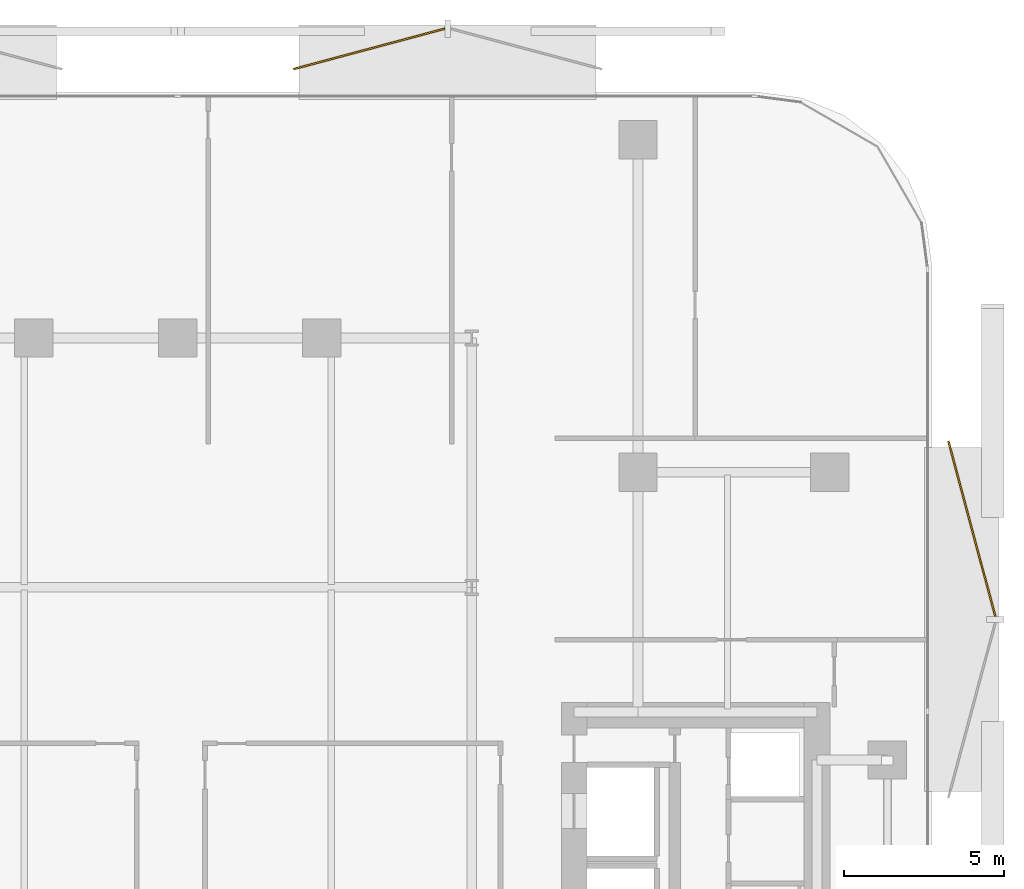
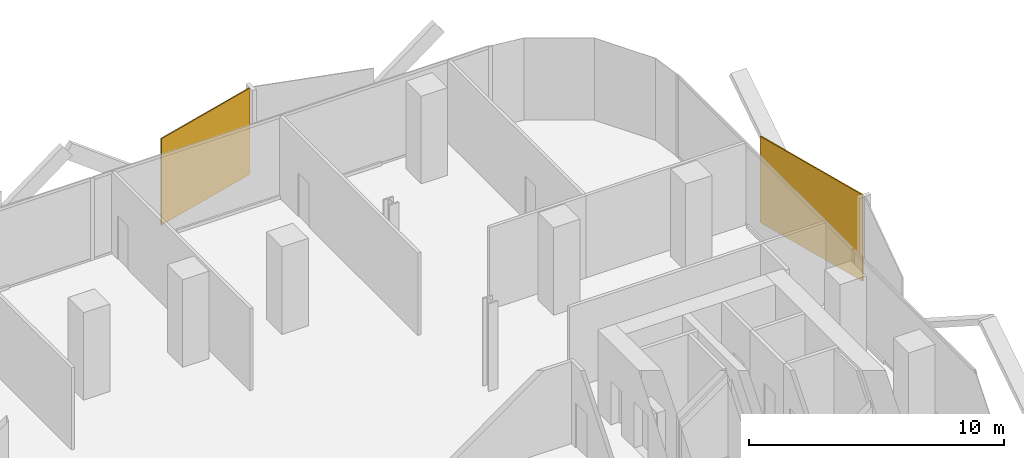
# One storey, part 16 of 16: 2 coverings.
"""IFC4 building model written with IfcOpenShell, lengths in metres."""

from ifc_helpers import new_model, si_unit, direction, frame, origin, origin_2d, place, context, subcontext, project, spatial, rectangle, extrude, material, layer, layer_set, type_object, element, save


model = new_model("IFC4")

# Units and contexts
model_context = context("Model", 3, precision=1e-05, world=origin(), true_north=direction((0.0, 1.0)))
body_context = subcontext(model_context, "Body", "Model", "MODEL_VIEW")
ifc_project = project(units=[si_unit("LENGTHUNIT", "METRE"), si_unit("AREAUNIT", "SQUARE_METRE"), si_unit("VOLUMEUNIT", "CUBIC_METRE"), si_unit("PLANEANGLEUNIT", "RADIAN"), si_unit("MASSUNIT", "GRAM", prefix="KILO")], contexts=[model_context])

# Site, building, storey
site_placement = place(None, origin())
site = spatial("IfcSite", under=ifc_project, at=site_placement, CompositionType="ELEMENT")
building_placement = place(site_placement, origin())
building = spatial("IfcBuilding", under=site, at=building_placement, Name="Khairoan Windgate Tower", CompositionType="ELEMENT")
storey_placement = place(building_placement, frame((0.0, 0.0, 139.39990234375)))
storey = spatial("IfcBuildingStorey", under=building, at=storey_placement, Name="L32", CompositionType="ELEMENT", Elevation=139.39990234375)

# Coverings
ifc_material = material(Name="Anodised Bronze Aluminium 6063-T6", Category="aluminium")
ifc_layer = layer(ifc_material, 0.054931640625, Name="Anodised Bronze Aluminium 6063-T6")
ifc_layer_set = layer_set([ifc_layer], Name="Anodised Bronze Aluminium 6063-T6")
covering_type = type_object("IfcCoveringType", Name="Perforated Bronze-Ceramic Folded Solar Screen Cladding BSC-1", PredefinedType="CLADDING", material=ifc_layer_set)
covering_1_placement = place(storey_placement, frame((5.98974609375, 27.646240234375, -0.099609375), z_axis=(0.0, 0.0, 1.0), x_axis=(0.965925826289, 0.258819045103, 0.0)))
element("IfcCovering", 1, at=covering_1_placement, inside=storey, type_object=covering_type, Name="L32 Folded Bronze Solar Screen Facet 206L", PredefinedType="CLADDING", context=body_context, shape_type="SweptSolid", body=[
    extrude(rectangle(XDim=4.89794921875, YDim=0.054931640625, at=origin_2d()), origin(), (0.0, 0.0, 1.0), 4.139892578125),
])
covering_2_placement = place(storey_placement, frame((24.8447265625, 12.629150390625, -0.099609375), z_axis=(0.0, 0.0, 1.0), x_axis=(0.258819045103, -0.965925826289, 0.0)))
element("IfcCovering", 2, at=covering_2_placement, inside=storey, type_object=covering_type, Name="L32 Folded Bronze Solar Screen Facet 207L", PredefinedType="CLADDING", context=body_context, shape_type="SweptSolid", body=[
    extrude(rectangle(XDim=5.680908203125, YDim=0.054931640625, at=origin_2d()), origin(), (0.0, 0.0, 1.0), 4.139892578125),
])

save(model, "model.ifc")
